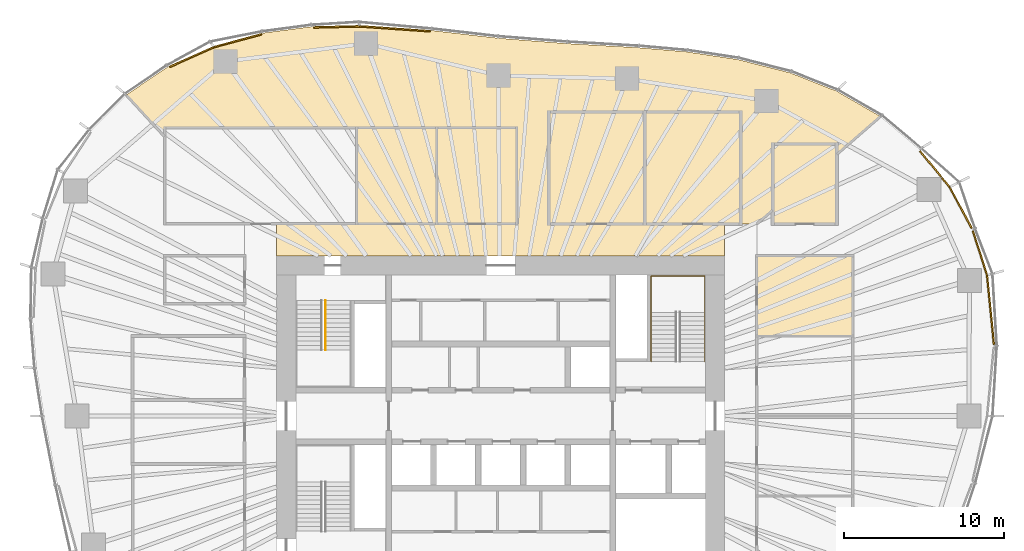
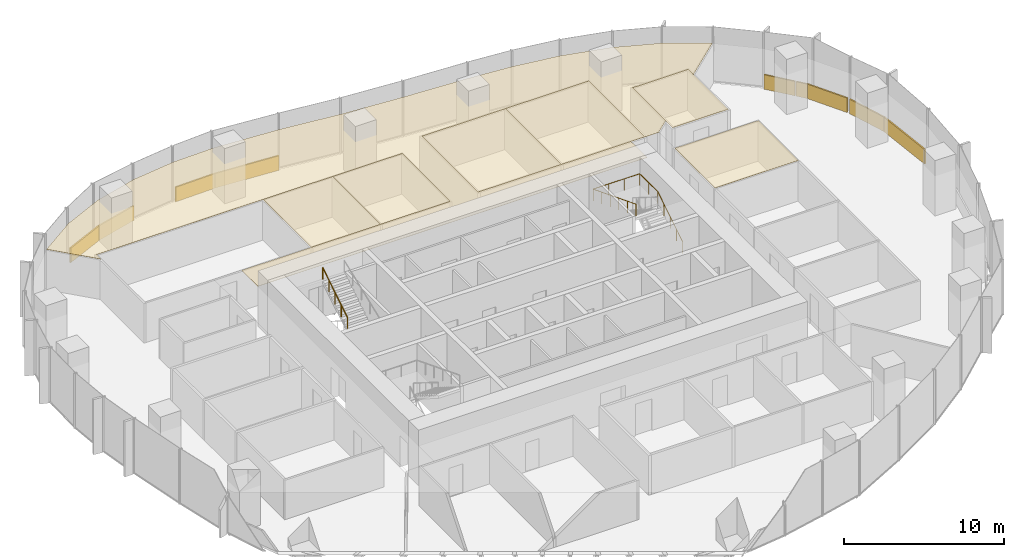
# One storey, part 18 of 18: 16 coverings, 2 railings.
"""IFC4 building model written with IfcOpenShell, lengths in metres."""

from ifc_helpers import new_model, si_unit, direction, frame, origin, origin_2d, place, context, subcontext, project, spatial, polyline, rectangle, circle, outline, extrude, material, layer, layer_set, type_object, element, save


model = new_model("IFC4")

# Units and contexts
model_context = context("Model", 3, precision=1e-05, world=origin(), true_north=direction((0.0, 1.0)))
body_context = subcontext(model_context, "Body", "Model", "MODEL_VIEW")
ifc_project = project(units=[si_unit("LENGTHUNIT", "METRE"), si_unit("AREAUNIT", "SQUARE_METRE"), si_unit("VOLUMEUNIT", "CUBIC_METRE"), si_unit("PLANEANGLEUNIT", "RADIAN"), si_unit("MASSUNIT", "GRAM", prefix="KILO")], contexts=[model_context])

# Site, building, storey
site_placement = place(None, origin())
site = spatial("IfcSite", under=ifc_project, at=site_placement, CompositionType="ELEMENT")
building_placement = place(site_placement, origin())
building = spatial("IfcBuilding", under=site, at=building_placement, Name="Ghaith Harvest Tower", CompositionType="ELEMENT")
storey_placement = place(building_placement, frame((0.0, 0.0, 126.0)))
storey = spatial("IfcBuildingStorey", under=building, at=storey_placement, Name="L26", CompositionType="ELEMENT", Elevation=126.0)

# Coverings
ifc_material_1 = material(Name="Mineral fibre ceiling tile", Category="gypsum")
ifc_layer_1 = layer(ifc_material_1, 0.02001953125)
ifc_layer_set_1 = layer_set([ifc_layer_1], Name="CEILING C1")
covering_type_1 = type_object("IfcCoveringType", Name="CEILING C1", PredefinedType="CEILING", material=ifc_layer_set_1)
covering_1_placement = place(storey_placement, frame((0.0, 0.0, 3.0)))
element("IfcCovering", 1, at=covering_1_placement, inside=storey, type_object=covering_type_1, Name="Ceiling L26-02", PredefinedType="CEILING", context=body_context, shape_type="SweptSolid", body=[
    extrude(outline(polyline([(-9.0, 12.0), (-4.0, 12.0), (-4.0, 18.0), (-9.0, 18.0), (-9.0, 12.0)])), origin(), (0.0, 0.0, 1.0), 0.02001953125),
])
covering_2_placement = place(storey_placement, frame((0.0, 0.0, 3.0)))
element("IfcCovering", 2, at=covering_2_placement, inside=storey, type_object=covering_type_1, Name="Ceiling L26-03", PredefinedType="CEILING", context=body_context, shape_type="SweptSolid", body=[
    extrude(outline(polyline([(-4.0, 12.0), (1.0, 12.0), (1.0, 18.0), (-4.0, 18.0), (-4.0, 12.0)])), origin(), (0.0, 0.0, 1.0), 0.02001953125),
])
covering_3_placement = place(storey_placement, frame((0.0, 0.0, 3.0)))
element("IfcCovering", 3, at=covering_3_placement, inside=storey, type_object=covering_type_1, Name="Ceiling L26-04", PredefinedType="CEILING", context=body_context, shape_type="SweptSolid", body=[
    extrude(outline(polyline([(3.0, 12.0), (9.0, 12.0), (9.0, 19.0), (3.0, 19.0), (3.0, 12.0)])), origin(), (0.0, 0.0, 1.0), 0.02001953125),
])
covering_4_placement = place(storey_placement, frame((0.0, 0.0, 3.0)))
element("IfcCovering", 4, at=covering_4_placement, inside=storey, type_object=covering_type_1, Name="Ceiling L26-05", PredefinedType="CEILING", context=body_context, shape_type="SweptSolid", body=[
    extrude(outline(polyline([(9.0, 12.0), (15.0, 12.0), (15.0, 19.0), (9.0, 19.0), (9.0, 12.0)])), origin(), (0.0, 0.0, 1.0), 0.02001953125),
])
covering_5_placement = place(storey_placement, frame((0.0, 0.0, 3.0)))
element("IfcCovering", 5, at=covering_5_placement, inside=storey, type_object=covering_type_1, Name="Ceiling L26-09", PredefinedType="CEILING", context=body_context, shape_type="SweptSolid", body=[
    extrude(outline(polyline([(16.0, 5.0), (22.0, 5.0), (22.0, 10.0), (16.0, 10.0), (16.0, 5.0)])), origin(), (0.0, 0.0, 1.0), 0.02001953125),
])
covering_6_placement = place(storey_placement, frame((0.0, 0.0, 3.0)))
element("IfcCovering", 6, at=covering_6_placement, inside=storey, type_object=covering_type_1, Name="Ceiling L26-18", PredefinedType="CEILING", context=body_context, shape_type="SweptSolid", body=[
    extrude(outline(polyline([(17.0, 12.0), (21.0, 12.0), (21.0, 17.0), (17.0, 17.0), (17.0, 12.0)])), origin(), (0.0, 0.0, 1.0), 0.02001953125),
])
covering_7_placement = place(storey_placement, frame((0.0, 0.0, 3.0)))
element("IfcCovering", 7, at=covering_7_placement, inside=storey, type_object=covering_type_1, Name="Ceiling L26-N1", PredefinedType="CEILING", context=body_context, shape_type="SweptSolid", body=[
    extrude(outline(polyline([(-20.79248046875, 21.82470703125), (-17.938232421875, 23.097412109375), (-14.860595703125, 23.927978515625), (-11.788818359375, 24.331787109375), (-8.814208984375, 24.404541015625), (-4.302001953125, 24.089111328125), (-0.16162109375, 23.609619140625), (4.125732421875, 23.272705078125), (8.604736328125, 23.017333984375), (11.617919921875, 22.757080078125), (14.79833984375, 22.27978515625), (18.0849609375, 21.4462890625), (20.97998046875, 20.3056640625), (23.7275390625, 18.718017578125), (21.0, 16.3466796875), (21.0, 17.0), (17.0, 17.0), (17.0, 12.869384765625), (16.0, 12.0), (15.0, 12.0), (15.0, 19.0), (3.0, 19.0), (3.0, 12.0), (14.0, 12.0), (14.0, 10.0), (-14.0, 10.0), (-14.0, 12.0), (1.0, 12.0), (1.0, 18.0), (-21.0, 18.0), (-21.0, 17.447998046875), (-23.398193359375, 20.06103515625), (-20.79248046875, 21.82470703125)])), origin(), (0.0, 0.0, 1.0), 0.02001953125),
])

# Railings
ifc_material_2 = material(Name="Steel, black powder-coated", Category="steel")
railing_type = type_object("IfcRailingType", Name="HANDRAIL HR1", PredefinedType="HANDRAIL", material=ifc_material_2)
railing_1_placement = place(storey_placement, frame((-10.949951171875, 4.1201171875, 2.27490234375)))
element("IfcRailing", 8, at=railing_1_placement, inside=storey, type_object=railing_type, Name="Handrail HR1 stair ST1 L26 flight 2 inner", PredefinedType="HANDRAIL", context=body_context, shape_type="SweptSolid", body=[
    extrude(circle(Radius=0.02392578125, at=origin_2d()), frame((0.0, 0.0, 0.8759765625), z_axis=(0.0, 0.847979421464, 0.530029150871), x_axis=(-1.0, 0.0, 0.0)), (0.0, 0.0, 1.0), 3.632080078125),
    extrude(circle(Radius=0.02099609375, at=origin_2d()), origin(), (0.0, 0.0, 1.0), 0.851806640625),
    extrude(circle(Radius=0.02099609375, at=origin_2d()), frame((0.0, 0.77001953125, 0.481201171875)), (0.0, 0.0, 1.0), 0.851806640625),
    extrude(circle(Radius=0.02099609375, at=origin_2d()), frame((0.0, 1.5400390625, 0.96240234375)), (0.0, 0.0, 1.0), 0.851806640625),
    extrude(circle(Radius=0.02099609375, at=origin_2d()), frame((0.0, 2.309814453125, 1.44384765625)), (0.0, 0.0, 1.0), 0.851806640625),
    extrude(circle(Radius=0.02099609375, at=origin_2d()), frame((0.0, 3.079833984375, 1.925048828125)), (0.0, 0.0, 1.0), 0.851806640625),
])
railing_2_placement = place(storey_placement, frame((12.75, 3.39990234375, 0.175048828125)))
element("IfcRailing", 9, at=railing_2_placement, inside=storey, type_object=railing_type, Name="Handrail HR1 stair ST2 L26 wall side", PredefinedType="HANDRAIL", context=body_context, shape_type="SweptSolid", body=[
    extrude(circle(Radius=0.02392578125, at=origin_2d()), frame((0.0, 0.0, 0.8759765625), z_axis=(0.0, 0.847998304005, 0.529998940003), x_axis=(-1.0, 0.0, 0.0)), (0.0, 0.0, 1.0), 3.632080078125),
    extrude(circle(Radius=0.02392578125, at=origin_2d()), frame((0.0, 3.080078125, 2.80078125), z_axis=(0.0, 1.0, 0.0), x_axis=(-1.0, 0.0, 0.0)), (0.0, 0.0, 1.0), 2.27001953125),
    extrude(circle(Radius=0.02392578125, at=origin_2d()), frame((0.0, 5.35009765625, 2.80078125), z_axis=(-1.0, 0.0, 0.0), x_axis=(0.0, -1.0, 0.0)), (0.0, 0.0, 1.0), 3.35009765625),
    extrude(circle(Radius=0.02392578125, at=origin_2d()), frame((-3.35009765625, 5.35009765625, 2.80078125), z_axis=(0.0, -0.930868132128, 0.365355334692), x_axis=(1.0, 0.0, 0.0)), (0.0, 0.0, 1.0), 5.747314453125),
    extrude(circle(Radius=0.02099609375, at=origin_2d()), origin(), (0.0, 0.0, 1.0), 0.851806640625),
    extrude(circle(Radius=0.02099609375, at=origin_2d()), frame((0.0, 0.77001953125, 0.481201171875)), (0.0, 0.0, 1.0), 0.851806640625),
    extrude(circle(Radius=0.02099609375, at=origin_2d()), frame((0.0, 1.5400390625, 0.96240234375)), (0.0, 0.0, 1.0), 0.851806640625),
    extrude(circle(Radius=0.02099609375, at=origin_2d()), frame((0.0, 2.31005859375, 1.44384765625)), (0.0, 0.0, 1.0), 0.851806640625),
    extrude(circle(Radius=0.02099609375, at=origin_2d()), frame((0.0, 3.080078125, 1.925048828125)), (0.0, 0.0, 1.0), 0.851806640625),
    extrude(circle(Radius=0.02099609375, at=origin_2d()), frame((0.0, 4.215087890625, 1.925048828125)), (0.0, 0.0, 1.0), 0.851806640625),
    extrude(circle(Radius=0.02099609375, at=origin_2d()), frame((0.0, 5.35009765625, 1.925048828125)), (0.0, 0.0, 1.0), 0.851806640625),
    extrude(circle(Radius=0.02099609375, at=origin_2d()), frame((-1.11669921875, 5.35009765625, 1.925048828125)), (0.0, 0.0, 1.0), 0.851806640625),
    extrude(circle(Radius=0.02099609375, at=origin_2d()), frame((-2.2333984375, 5.35009765625, 1.925048828125)), (0.0, 0.0, 1.0), 0.851806640625),
    extrude(circle(Radius=0.02099609375, at=origin_2d()), frame((-3.35009765625, 5.35009765625, 1.925048828125)), (0.0, 0.0, 1.0), 0.851806640625),
    extrude(circle(Radius=0.02099609375, at=origin_2d()), frame((-3.35009765625, 4.280029296875, 2.344970703125)), (0.0, 0.0, 1.0), 0.851806640625),
    extrude(circle(Radius=0.02099609375, at=origin_2d()), frame((-3.35009765625, 3.2099609375, 2.764892578125)), (0.0, 0.0, 1.0), 0.851806640625),
    extrude(circle(Radius=0.02099609375, at=origin_2d()), frame((-3.35009765625, 2.14013671875, 3.18505859375)), (0.0, 0.0, 1.0), 0.851806640625),
    extrude(circle(Radius=0.02099609375, at=origin_2d()), frame((-3.35009765625, 1.070068359375, 3.60498046875)), (0.0, 0.0, 1.0), 0.851806640625),
    extrude(circle(Radius=0.02099609375, at=origin_2d()), frame((-3.35009765625, 0.0, 4.02490234375)), (0.0, 0.0, 1.0), 0.851806640625),
])

# Coverings
ifc_material_3 = material(Name="Insulated aluminium spandrel panel on steel framing", Category="steel")
ifc_layer_2 = layer(ifc_material_3, 0.10009765625)
ifc_layer_set_2 = layer_set([ifc_layer_2], Name="SLAB EDGE UPSTAND 1100x100")
covering_type_2 = type_object("IfcCoveringType", Name="SLAB EDGE UPSTAND 1100x100", PredefinedType="CLADDING", material=ifc_layer_set_2)
covering_8_placement = place(storey_placement, frame((30.604736328125, 6.630126953125, 0.0), z_axis=(0.0, 0.0, 1.0), x_axis=(-0.099131765681, 0.995074315332, 0.0)))
element("IfcCovering", 10, at=covering_8_placement, inside=storey, type_object=covering_type_2, Name="Slab edge upstand 2 bay 01 L26", PredefinedType="CLADDING", context=body_context, shape_type="SweptSolid", body=[
    extrude(rectangle(XDim=4.346435546875, YDim=0.10009765625, at=origin_2d()), origin(), (0.0, 0.0, 1.0), 1.10009765625),
])
covering_9_placement = place(storey_placement, frame((29.948486328125, 10.171875, 0.0), z_axis=(0.0, 0.0, 1.0), x_axis=(-0.303716894855, 0.952762324916, 0.0)))
element("IfcCovering", 11, at=covering_9_placement, inside=storey, type_object=covering_type_2, Name="Slab edge upstand 1 bay 02 L26", PredefinedType="CLADDING", context=body_context, shape_type="SweptSolid", body=[
    extrude(rectangle(XDim=2.916748046875, YDim=0.10009765625, at=origin_2d()), origin(), (0.0, 0.0, 1.0), 1.10009765625),
])
covering_10_placement = place(storey_placement, frame((28.738037109375, 13.018798828125, 0.0), z_axis=(0.0, 0.0, 1.0), x_axis=(-0.475408661811, 0.87976508471, 0.0)))
element("IfcCovering", 12, at=covering_10_placement, inside=storey, type_object=covering_type_2, Name="Slab edge upstand 2 bay 02 L26", PredefinedType="CLADDING", context=body_context, shape_type="SweptSolid", body=[
    extrude(rectangle(XDim=2.91650390625, YDim=0.10009765625, at=origin_2d()), origin(), (0.0, 0.0, 1.0), 1.10009765625),
])
covering_11_placement = place(storey_placement, frame((27.806396484375, 14.592041015625, 0.0), z_axis=(0.0, 0.0, 1.0), x_axis=(-0.632969558548, 0.774176683937, 0.0)))
element("IfcCovering", 13, at=covering_11_placement, inside=storey, type_object=covering_type_2, Name="Slab edge upstand 3 bay 02 L26", PredefinedType="CLADDING", context=body_context, shape_type="SweptSolid", body=[
    extrude(rectangle(XDim=0.77001953125, YDim=0.10009765625, at=origin_2d()), origin(), (0.0, 0.0, 1.0), 1.10009765625),
])
covering_12_placement = place(storey_placement, frame((26.863525390625, 15.7451171875, 0.0), z_axis=(0.0, 0.0, 1.0), x_axis=(-0.632969558548, 0.774176683937, 0.0)))
element("IfcCovering", 14, at=covering_12_placement, inside=storey, type_object=covering_type_2, Name="Slab edge upstand 3 bay 02 L26", PredefinedType="CLADDING", context=body_context, shape_type="SweptSolid", body=[
    extrude(rectangle(XDim=2.083740234375, YDim=0.10009765625, at=origin_2d()), origin(), (0.0, 0.0, 1.0), 1.10009765625),
])
covering_13_placement = place(storey_placement, frame((-6.611572265625, 24.200439453125, 0.0), z_axis=(0.0, 0.0, 1.0), x_axis=(-0.997566199698, 0.069725728542, 0.0)))
element("IfcCovering", 15, at=covering_13_placement, inside=storey, type_object=covering_type_2, Name="Slab edge upstand 2 bay 06 L26", PredefinedType="CLADDING", context=body_context, shape_type="SweptSolid", body=[
    extrude(rectangle(XDim=4.42333984375, YDim=0.10009765625, at=origin_2d()), origin(), (0.0, 0.0, 1.0), 1.10009765625),
])
covering_14_placement = place(storey_placement, frame((-10.25048828125, 24.3193359375, 0.0), z_axis=(0.0, 0.0, 1.0), x_axis=(-0.999700846757, -0.024458474865, 0.0)))
element("IfcCovering", 16, at=covering_14_placement, inside=storey, type_object=covering_type_2, Name="Slab edge upstand 1 bay 07 L26", PredefinedType="CLADDING", context=body_context, shape_type="SweptSolid", body=[
    extrude(rectangle(XDim=2.87548828125, YDim=0.10009765625, at=origin_2d()), origin(), (0.0, 0.0, 1.0), 1.10009765625),
])
covering_15_placement = place(storey_placement, frame((-16.4345703125, 23.451416015625, 0.0), z_axis=(0.0, 0.0, 1.0), x_axis=(-0.965455035926, -0.260569709685, 0.0)))
element("IfcCovering", 17, at=covering_15_placement, inside=storey, type_object=covering_type_2, Name="Slab edge upstand 3 bay 07 L26", PredefinedType="CLADDING", context=body_context, shape_type="SweptSolid", body=[
    extrude(rectangle(XDim=3.087890625, YDim=0.10009765625, at=origin_2d()), origin(), (0.0, 0.0, 1.0), 1.10009765625),
])
covering_16_placement = place(storey_placement, frame((-19.29931640625, 22.435791015625, 0.0), z_axis=(0.0, 0.0, 1.0), x_axis=(-0.913334621001, -0.40720986, 0.0)))
element("IfcCovering", 18, at=covering_16_placement, inside=storey, type_object=covering_type_2, Name="Slab edge upstand 1 bay 08 L26", PredefinedType="CLADDING", context=body_context, shape_type="SweptSolid", body=[
    extrude(rectangle(XDim=3.025146484375, YDim=0.10009765625, at=origin_2d()), origin(), (0.0, 0.0, 1.0), 1.10009765625),
])

save(model, "model.ifc")
